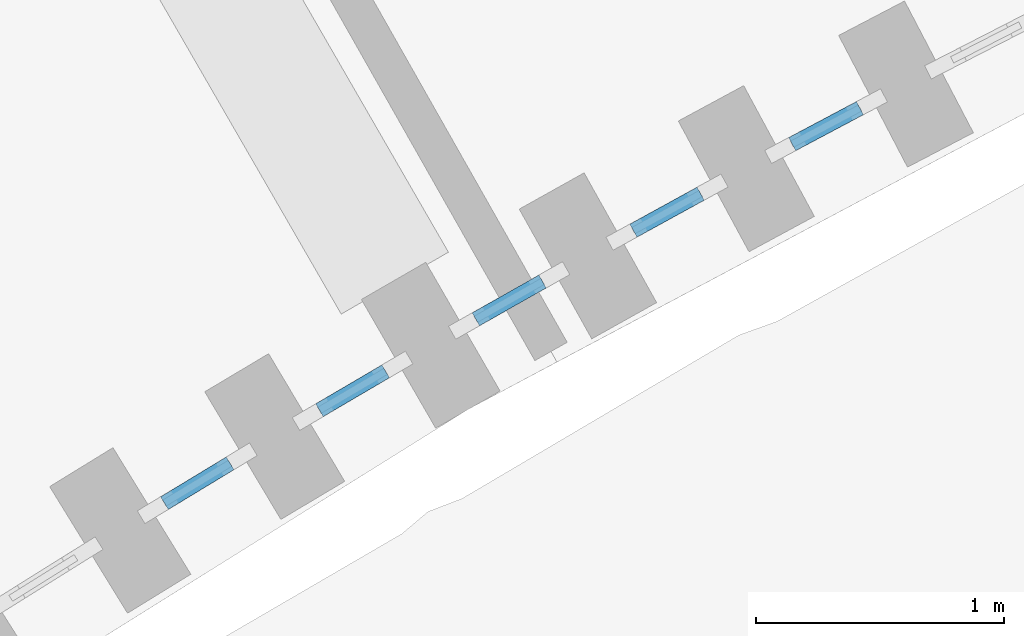
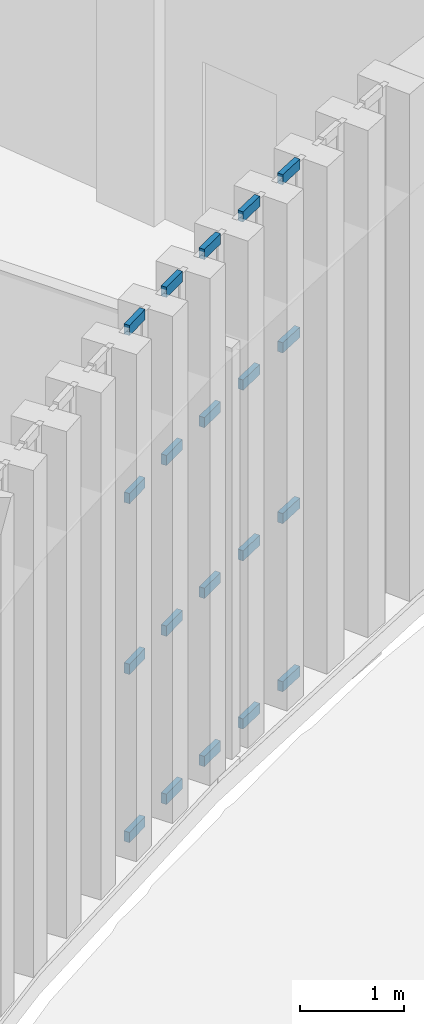
# One storey, part 64 of 155: 20 members, 5 elements without a shape of their own.
"""IFC4 building model written with IfcOpenShell, lengths in metres."""

import ifcopenshell
import ifcopenshell.guid

model = None  # the IFC model being written
_history = None  # IfcOwnerHistory: only IFC2X3 demands one
_inside = {}  # id of a spatial element -> (the spatial element, [elements in it])
_under = {}  # id of a project, library or spatial element -> (it, [spatial elements below it])
_declared = {}  # id of a project -> (the project, [libraries it declares])
_typed = {}  # id of a type object -> (the type object, [elements of that type])
_made_of = {}  # id of a material, layer set ... -> (it, [elements and type objects made of it])


def new_model(schema):
    """Start an empty IFC model of exactly this schema.

    Asked for "IFC4X3", IfcOpenShell would pick the latest addendum, in which some entities
    have other attributes; the version numbers below select the first issue.
    IFC2X3 requires an IfcOwnerHistory on every rooted entity: one is made here for all.
    """
    global model, _history
    if schema == "IFC4X3":
        model = ifcopenshell.file(schema_version=(4, 3, 0, 0))
    else:
        model = ifcopenshell.file(schema=schema)
    _inside.clear()
    _under.clear()
    _declared.clear()
    _typed.clear()
    _made_of.clear()
    _history = None
    if model.schema == "IFC2X3":
        org = make("IfcOrganization", Name="unknown")
        user = make(
            "IfcPersonAndOrganization",
            ThePerson=make("IfcPerson", FamilyName="unknown"),
            TheOrganization=org,
        )
        app = make(
            "IfcApplication",
            ApplicationDeveloper=org,
            Version="unknown",
            ApplicationFullName="unknown",
            ApplicationIdentifier="unknown",
        )
        _history = make(
            "IfcOwnerHistory",
            OwningUser=user,
            OwningApplication=app,
            ChangeAction="ADDED",
            CreationDate=0,
        )
    return model


def make(cls, **values):
    """One entity of the class cls with the attributes given. An attribute that is None is left unset."""
    return model.create_entity(
        cls, **{name: value for name, value in values.items() if value is not None}
    )


def rooted(cls, **values):
    """An entity with a GlobalId (a new one), such as an element, a storey or a relation."""
    return make(cls, GlobalId=ifcopenshell.guid.new(), OwnerHistory=_history, **values)


def si_unit(unit_type, name, prefix=None):
    """IfcSIUnit, for example si_unit("LENGTHUNIT", "METRE", prefix="MILLI")."""
    return make("IfcSIUnit", UnitType=unit_type, Prefix=prefix, Name=name)


def assignment(units):
    """IfcUnitAssignment: the units of a project."""
    return None if units is None else make("IfcUnitAssignment", Units=units)


def point(xyz):
    """IfcCartesianPoint."""
    return None if xyz is None else make("IfcCartesianPoint", Coordinates=xyz)


def direction(xyz):
    """IfcDirection."""
    return None if xyz is None else make("IfcDirection", DirectionRatios=xyz)


def frame(location, z_axis=None, x_axis=None):
    """IfcAxis2Placement3D, a coordinate frame: its origin and axes. An axis left out is left unset."""
    return make(
        "IfcAxis2Placement3D",
        Location=point(location),
        Axis=direction(z_axis),
        RefDirection=direction(x_axis),
    )


def frame_2d(location, x_axis=None):
    """IfcAxis2Placement2D, a coordinate frame in the plane: its origin and x axis."""
    return make(
        "IfcAxis2Placement2D", Location=point(location), RefDirection=direction(x_axis)
    )


def origin():
    """The frame at (0, 0, 0) with its axes left unset."""
    return frame((0.0, 0.0, 0.0))


def origin_2d():
    """The frame at (0, 0) in the plane with its x axis left unset."""
    return frame_2d((0.0, 0.0))


def place(relative_to, where):
    """IfcLocalPlacement: puts the frame where relative to a parent placement (None: the world)."""
    return make(
        "IfcLocalPlacement", PlacementRelTo=relative_to, RelativePlacement=where
    )


def context(
    kind, dimensions, precision=None, world=None, true_north=None, identifier=None
):
    """IfcGeometricRepresentationContext, for example the 3D "Model" context."""
    return make(
        "IfcGeometricRepresentationContext",
        ContextIdentifier=identifier,
        ContextType=kind,
        CoordinateSpaceDimension=dimensions,
        Precision=precision,
        WorldCoordinateSystem=world,
        TrueNorth=true_north,
    )


def subcontext(parent, identifier, kind, view, scale=None):
    """IfcGeometricRepresentationSubContext, for example "Body" below "Model"."""
    return make(
        "IfcGeometricRepresentationSubContext",
        ContextIdentifier=identifier,
        ContextType=kind,
        ParentContext=parent,
        TargetScale=scale,
        TargetView=view,
    )


def project(units=None, contexts=None):
    """IfcProject with its units and contexts."""
    return rooted(
        "IfcProject",
        Name="project",
        RepresentationContexts=contexts,
        UnitsInContext=assignment(units),
    )


def spatial(cls, under=None, at=None, **own):
    """A site, building, storey or space (cls), placed at a placement, below another one or the project."""
    s = rooted(cls, ObjectPlacement=at, **own)
    if under is not None:
        _under.setdefault(under.id(), (under, []))[1].append(s)
    return s


def profile(cls, at=None, kind="AREA", **sizes):
    """A parametric profile (cls). Its sizes go by their IFC names, for example OverallWidth=200.0."""
    return make(cls, ProfileType=kind, Position=at, **sizes)


def rectangle(**sizes):
    """IfcRectangleProfileDef."""
    return profile("IfcRectangleProfileDef", **sizes)


def extrude(swept, where, along, depth):
    """IfcExtrudedAreaSolid: the profile swept, set in the frame where, extruded along a direction by depth."""
    return make(
        "IfcExtrudedAreaSolid",
        SweptArea=swept,
        Position=where,
        ExtrudedDirection=direction(along),
        Depth=depth,
    )


def shape(context_of_items, identifier, shape_type, items):
    """IfcShapeRepresentation: the items that make up one representation, for example the "Body"."""
    return make(
        "IfcShapeRepresentation",
        ContextOfItems=context_of_items,
        RepresentationIdentifier=identifier,
        RepresentationType=shape_type,
        Items=items,
    )


def material(Name=None, Category=None):
    """IfcMaterial."""
    return make("IfcMaterial", Name=Name, Category=Category)


def layer(
    of_material, thickness, ventilated=None, Name=None, Category=None, Priority=None
):
    """IfcMaterialLayer: one layer of a wall or slab, of a material (None: an air gap)."""
    return make(
        "IfcMaterialLayer",
        Material=of_material,
        LayerThickness=thickness,
        IsVentilated=ventilated,
        Name=Name,
        Category=Category,
        Priority=Priority,
    )


def layer_set(layers, Name=None):
    """IfcMaterialLayerSet."""
    return make("IfcMaterialLayerSet", MaterialLayers=layers, LayerSetName=Name)


def material_profile(
    of_material, cross_section, Name=None, Category=None, Priority=None
):
    """IfcMaterialProfile: a cross section and its material."""
    return make(
        "IfcMaterialProfile",
        Name=Name,
        Material=of_material,
        Profile=cross_section,
        Priority=Priority,
        Category=Category,
    )


def profile_set(profiles, Name=None, composite=None):
    """IfcMaterialProfileSet."""
    return make(
        "IfcMaterialProfileSet",
        Name=Name,
        MaterialProfiles=profiles,
        CompositeProfile=composite,
    )


def made_of(thing, what):
    """Note that an element or type object is made of a material, layer set ...; save() writes the relation."""
    if what is not None:
        _made_of.setdefault(what.id(), (what, []))[1].append(thing)
    return thing


def type_object(cls, material=None, **own):
    """A type object (cls), such as IfcWallType, which elements share."""
    return made_of(rooted(cls, **own), material)


def element(
    cls,
    number,
    at=None,
    inside=None,
    cuts=None,
    type_object=None,
    material=None,
    context=None,
    identifier="Body",
    shape_type=None,
    held_by="IfcProductDefinitionShape",
    body=None,
    shapes=None,
    **own,
):
    """One element of the class cls, such as IfcWall. Its Tag is "e" and its number.

    at: its placement. inside: the storey or other place that contains it. cuts: it is an
    opening in that element (IfcRelVoidsElement). A single representation is given by context,
    identifier, shape_type and body (its items); several are given by shapes. held_by: the class
    of the entity that holds the representations. save() writes the other relations.
    """
    e = rooted(cls, Tag="e%d" % number, ObjectPlacement=at, **own)
    if body is not None:
        shapes = [shape(context, identifier, shape_type, body)]
    if shapes is not None:
        e.Representation = make(held_by, Representations=shapes)
    if inside is not None:
        _inside.setdefault(inside.id(), (inside, []))[1].append(e)
    if cuts is not None:
        rooted(
            "IfcRelVoidsElement", RelatingBuildingElement=cuts, RelatedOpeningElement=e
        )
    if type_object is not None:
        _typed.setdefault(type_object.id(), (type_object, []))[1].append(e)
    return made_of(e, material)


def aggregate(whole, parts):
    """IfcRelAggregates: a whole, such as a stair, and the parts it consists of."""
    return rooted("IfcRelAggregates", RelatingObject=whole, RelatedObjects=parts)


def save(model, path):
    """Write the relations noted so far, then the file.

    IfcRelAggregates (storeys below a building ...), IfcRelContainedInSpatialStructure (elements
    in a storey), IfcRelDefinesByType, IfcRelAssociatesMaterial and IfcRelDeclares: one each for
    every whole, place, type object, material and project.
    """
    for whole, parts in _under.values():
        aggregate(whole, parts)
    for where, things in _inside.values():
        rooted(
            "IfcRelContainedInSpatialStructure",
            RelatedElements=things,
            RelatingStructure=where,
        )
    for kind, things in _typed.values():
        rooted("IfcRelDefinesByType", RelatedObjects=things, RelatingType=kind)
    for what, things in _made_of.values():
        rooted("IfcRelAssociatesMaterial", RelatedObjects=things, RelatingMaterial=what)
    for by, libraries in _declared.values():
        rooted("IfcRelDeclares", RelatingContext=by, RelatedDefinitions=libraries)
    model.write(path)


model = new_model("IFC4")

# Units and contexts
model_context = context("Model", 3, precision=1e-05, world=origin(), true_north=direction((0.0, 1.0)))
body_context = subcontext(model_context, "Body", "Model", "MODEL_VIEW")
ifc_project = project(units=[si_unit("LENGTHUNIT", "METRE"), si_unit("AREAUNIT", "SQUARE_METRE"), si_unit("VOLUMEUNIT", "CUBIC_METRE"), si_unit("PLANEANGLEUNIT", "RADIAN"), si_unit("MASSUNIT", "GRAM", prefix="KILO")], contexts=[model_context])

# Site, building, storey
site_placement = place(None, origin())
site = spatial("IfcSite", under=ifc_project, at=site_placement, CompositionType="ELEMENT")
building_placement = place(site_placement, origin())
building = spatial("IfcBuilding", under=site, at=building_placement, Name="Lunette Opera House", CompositionType="ELEMENT")
storey_placement = place(building_placement, origin())
storey = spatial("IfcBuildingStorey", under=building, at=storey_placement, Name="L00", CompositionType="ELEMENT", Elevation=0.0)

# Curtain wall, members
ifc_material_1 = material(Name="Aluminium", Category="aluminium")
ifc_layer = layer(ifc_material_1, 0.1201171875)
ifc_layer_set = layer_set([ifc_layer], Name="Aluminium")
curtain_wall_type = type_object("IfcCurtainWallType", Name="SLOT CURTAIN WALL", PredefinedType="NOTDEFINED", material=ifc_layer_set)
curtain_wall_1_placement = place(storey_placement, origin())
curtain_wall_1 = element("IfcCurtainWall", 1, at=curtain_wall_1_placement, inside=storey, type_object=curtain_wall_type, Name="Slot Curtain Wall CS014 L00", PredefinedType="NOTDEFINED")
ifc_material_2 = material(Name="Aluminium", Category="aluminium")
ifc_material_profile = material_profile(ifc_material_2, rectangle(XDim=0.06005859375, YDim=0.1201171875, at=origin_2d()), Name="TRANSOM 60 X 120")
ifc_profile_set = profile_set([ifc_material_profile], Name="Aluminium")
member_type = type_object("IfcMemberType", Name="TRANSOM 60 X 120", PredefinedType="USERDEFINED", material=ifc_profile_set)
member_1_placement = place(storey_placement, frame((68.7744140625, 44.655029296875, 0.030029296875), z_axis=(0.855123856729, 0.518423754908, 0.0), x_axis=(-0.518423754908, 0.855123856729, 0.0)))
member_1 = element("IfcMember", 2, at=member_1_placement, type_object=member_type, Name="FC-X2027 transom 1.1", ObjectType="TRANSOM", PredefinedType="USERDEFINED", context=body_context, shape_type="SweptSolid", body=[
    extrude(rectangle(XDim=0.06005859375, YDim=0.1201171875, at=origin_2d()), origin(), (0.0, 0.0, 1.0), 0.310302734375),
])
member_2_placement = place(storey_placement, frame((68.7744140625, 44.655029296875, 2.0), z_axis=(0.855123856729, 0.518423754908, 0.0), x_axis=(-0.518423754908, 0.855123856729, 0.0)))
member_2 = element("IfcMember", 3, at=member_2_placement, type_object=member_type, Name="FC-X2027 transom 1.2", ObjectType="TRANSOM", PredefinedType="USERDEFINED", context=body_context, shape_type="SweptSolid", body=[
    extrude(rectangle(XDim=0.06005859375, YDim=0.1201171875, at=origin_2d()), origin(), (0.0, 0.0, 1.0), 0.310302734375),
])
member_3_placement = place(storey_placement, frame((68.7744140625, 44.655029296875, 4.0), z_axis=(0.855123856729, 0.518423754908, 0.0), x_axis=(-0.518423754908, 0.855123856729, 0.0)))
member_3 = element("IfcMember", 4, at=member_3_placement, type_object=member_type, Name="FC-X2027 transom 1.3", ObjectType="TRANSOM", PredefinedType="USERDEFINED", context=body_context, shape_type="SweptSolid", body=[
    extrude(rectangle(XDim=0.06005859375, YDim=0.1201171875, at=origin_2d()), origin(), (0.0, 0.0, 1.0), 0.310302734375),
])
member_4_placement = place(storey_placement, frame((68.7744140625, 44.655029296875, 5.969970703125), z_axis=(0.855123856729, 0.518423754908, 0.0), x_axis=(-0.518423754908, 0.855123856729, 0.0)))
member_4 = element("IfcMember", 5, at=member_4_placement, type_object=member_type, Name="FC-X2027 transom 1.4", ObjectType="TRANSOM", PredefinedType="USERDEFINED", context=body_context, shape_type="SweptSolid", body=[
    extrude(rectangle(XDim=0.06005859375, YDim=0.1201171875, at=origin_2d()), origin(), (0.0, 0.0, 1.0), 0.310302734375),
])
aggregate(curtain_wall_1, [member_1, member_2, member_3, member_4])

curtain_wall_2_placement = place(storey_placement, origin())
curtain_wall_2 = element("IfcCurtainWall", 6, at=curtain_wall_2_placement, inside=storey, type_object=curtain_wall_type, Name="Slot Curtain Wall CS015 L00", PredefinedType="NOTDEFINED")
member_5_placement = place(storey_placement, frame((69.400634765625, 45.030517578125, 0.030029296875), z_axis=(0.862520326082, 0.506022417583, 0.0), x_axis=(-0.506022417583, 0.862520326082, 0.0)))
member_5 = element("IfcMember", 7, at=member_5_placement, type_object=member_type, Name="FC-X2029 transom 1.1", ObjectType="TRANSOM", PredefinedType="USERDEFINED", context=body_context, shape_type="SweptSolid", body=[
    extrude(rectangle(XDim=0.06005859375, YDim=0.1201171875, at=origin_2d()), origin(), (0.0, 0.0, 1.0), 0.310302734375),
])
member_6_placement = place(storey_placement, frame((69.400634765625, 45.030517578125, 2.0), z_axis=(0.862520326082, 0.506022417583, 0.0), x_axis=(-0.506022417583, 0.862520326082, 0.0)))
member_6 = element("IfcMember", 8, at=member_6_placement, type_object=member_type, Name="FC-X2029 transom 1.2", ObjectType="TRANSOM", PredefinedType="USERDEFINED", context=body_context, shape_type="SweptSolid", body=[
    extrude(rectangle(XDim=0.06005859375, YDim=0.1201171875, at=origin_2d()), origin(), (0.0, 0.0, 1.0), 0.310302734375),
])
member_7_placement = place(storey_placement, frame((69.400634765625, 45.030517578125, 4.0), z_axis=(0.862520326082, 0.506022417583, 0.0), x_axis=(-0.506022417583, 0.862520326082, 0.0)))
member_7 = element("IfcMember", 9, at=member_7_placement, type_object=member_type, Name="FC-X2029 transom 1.3", ObjectType="TRANSOM", PredefinedType="USERDEFINED", context=body_context, shape_type="SweptSolid", body=[
    extrude(rectangle(XDim=0.06005859375, YDim=0.1201171875, at=origin_2d()), origin(), (0.0, 0.0, 1.0), 0.310302734375),
])
member_8_placement = place(storey_placement, frame((69.400634765625, 45.030517578125, 5.969970703125), z_axis=(0.862520326082, 0.506022417583, 0.0), x_axis=(-0.506022417583, 0.862520326082, 0.0)))
member_8 = element("IfcMember", 10, at=member_8_placement, type_object=member_type, Name="FC-X2029 transom 1.4", ObjectType="TRANSOM", PredefinedType="USERDEFINED", context=body_context, shape_type="SweptSolid", body=[
    extrude(rectangle(XDim=0.06005859375, YDim=0.1201171875, at=origin_2d()), origin(), (0.0, 0.0, 1.0), 0.310302734375),
])
aggregate(curtain_wall_2, [member_5, member_6, member_7, member_8])

curtain_wall_3_placement = place(storey_placement, origin())
curtain_wall_3 = element("IfcCurtainWall", 11, at=curtain_wall_3_placement, inside=storey, type_object=curtain_wall_type, Name="Slot Curtain Wall CS016 L00", PredefinedType="NOTDEFINED")
member_9_placement = place(storey_placement, frame((70.0322265625, 45.397705078125, 0.030029296875), z_axis=(0.870224974821, 0.492654537376, 0.0), x_axis=(-0.492654537376, 0.870224974821, 0.0)))
member_9 = element("IfcMember", 12, at=member_9_placement, type_object=member_type, Name="FC-X2031 transom 1.1", ObjectType="TRANSOM", PredefinedType="USERDEFINED", context=body_context, shape_type="SweptSolid", body=[
    extrude(rectangle(XDim=0.06005859375, YDim=0.1201171875, at=origin_2d()), origin(), (0.0, 0.0, 1.0), 0.309814453125),
])
member_10_placement = place(storey_placement, frame((70.0322265625, 45.397705078125, 2.0), z_axis=(0.870224974821, 0.492654537376, 0.0), x_axis=(-0.492654537376, 0.870224974821, 0.0)))
member_10 = element("IfcMember", 13, at=member_10_placement, type_object=member_type, Name="FC-X2031 transom 1.2", ObjectType="TRANSOM", PredefinedType="USERDEFINED", context=body_context, shape_type="SweptSolid", body=[
    extrude(rectangle(XDim=0.06005859375, YDim=0.1201171875, at=origin_2d()), origin(), (0.0, 0.0, 1.0), 0.309814453125),
])
member_11_placement = place(storey_placement, frame((70.0322265625, 45.397705078125, 4.0), z_axis=(0.870224974821, 0.492654537376, 0.0), x_axis=(-0.492654537376, 0.870224974821, 0.0)))
member_11 = element("IfcMember", 14, at=member_11_placement, type_object=member_type, Name="FC-X2031 transom 1.3", ObjectType="TRANSOM", PredefinedType="USERDEFINED", context=body_context, shape_type="SweptSolid", body=[
    extrude(rectangle(XDim=0.06005859375, YDim=0.1201171875, at=origin_2d()), origin(), (0.0, 0.0, 1.0), 0.309814453125),
])
member_12_placement = place(storey_placement, frame((70.0322265625, 45.397705078125, 5.969970703125), z_axis=(0.870224974821, 0.492654537376, 0.0), x_axis=(-0.492654537376, 0.870224974821, 0.0)))
member_12 = element("IfcMember", 15, at=member_12_placement, type_object=member_type, Name="FC-X2031 transom 1.4", ObjectType="TRANSOM", PredefinedType="USERDEFINED", context=body_context, shape_type="SweptSolid", body=[
    extrude(rectangle(XDim=0.06005859375, YDim=0.1201171875, at=origin_2d()), origin(), (0.0, 0.0, 1.0), 0.309814453125),
])
aggregate(curtain_wall_3, [member_9, member_10, member_11, member_12])

curtain_wall_4_placement = place(storey_placement, origin())
curtain_wall_4 = element("IfcCurtainWall", 16, at=curtain_wall_4_placement, inside=storey, type_object=curtain_wall_type, Name="Slot Curtain Wall CS017 L00", PredefinedType="NOTDEFINED")
member_13_placement = place(storey_placement, frame((70.668701171875, 45.755859375, 0.030029296875), z_axis=(0.87659809462, 0.48122321277, 0.0), x_axis=(-0.48122321277, 0.87659809462, 0.0)))
member_13 = element("IfcMember", 17, at=member_13_placement, type_object=member_type, Name="FC-X2033 transom 1.1", ObjectType="TRANSOM", PredefinedType="USERDEFINED", context=body_context, shape_type="SweptSolid", body=[
    extrude(rectangle(XDim=0.06005859375, YDim=0.1201171875, at=origin_2d()), origin(), (0.0, 0.0, 1.0), 0.31005859375),
])
member_14_placement = place(storey_placement, frame((70.668701171875, 45.755859375, 2.0), z_axis=(0.87659809462, 0.48122321277, 0.0), x_axis=(-0.48122321277, 0.87659809462, 0.0)))
member_14 = element("IfcMember", 18, at=member_14_placement, type_object=member_type, Name="FC-X2033 transom 1.2", ObjectType="TRANSOM", PredefinedType="USERDEFINED", context=body_context, shape_type="SweptSolid", body=[
    extrude(rectangle(XDim=0.06005859375, YDim=0.1201171875, at=origin_2d()), origin(), (0.0, 0.0, 1.0), 0.31005859375),
])
member_15_placement = place(storey_placement, frame((70.668701171875, 45.755859375, 4.0), z_axis=(0.87659809462, 0.48122321277, 0.0), x_axis=(-0.48122321277, 0.87659809462, 0.0)))
member_15 = element("IfcMember", 19, at=member_15_placement, type_object=member_type, Name="FC-X2033 transom 1.3", ObjectType="TRANSOM", PredefinedType="USERDEFINED", context=body_context, shape_type="SweptSolid", body=[
    extrude(rectangle(XDim=0.06005859375, YDim=0.1201171875, at=origin_2d()), origin(), (0.0, 0.0, 1.0), 0.31005859375),
])
member_16_placement = place(storey_placement, frame((70.668701171875, 45.755859375, 5.969970703125), z_axis=(0.87659809462, 0.48122321277, 0.0), x_axis=(-0.48122321277, 0.87659809462, 0.0)))
member_16 = element("IfcMember", 20, at=member_16_placement, type_object=member_type, Name="FC-X2033 transom 1.4", ObjectType="TRANSOM", PredefinedType="USERDEFINED", context=body_context, shape_type="SweptSolid", body=[
    extrude(rectangle(XDim=0.06005859375, YDim=0.1201171875, at=origin_2d()), origin(), (0.0, 0.0, 1.0), 0.31005859375),
])
aggregate(curtain_wall_4, [member_13, member_14, member_15, member_16])

curtain_wall_5_placement = place(storey_placement, origin())
curtain_wall_5 = element("IfcCurtainWall", 21, at=curtain_wall_5_placement, inside=storey, type_object=curtain_wall_type, Name="Slot Curtain Wall CS018 L00", PredefinedType="NOTDEFINED")
member_17_placement = place(storey_placement, frame((71.31005859375, 46.105224609375, 0.030029296875), z_axis=(0.883136100726, 0.469116859209, 0.0), x_axis=(-0.469116859209, 0.883136100726, 0.0)))
member_17 = element("IfcMember", 22, at=member_17_placement, type_object=member_type, Name="FC-X2035 transom 1.1", ObjectType="TRANSOM", PredefinedType="USERDEFINED", context=body_context, shape_type="SweptSolid", body=[
    extrude(rectangle(XDim=0.06005859375, YDim=0.1201171875, at=origin_2d()), origin(), (0.0, 0.0, 1.0), 0.31005859375),
])
member_18_placement = place(storey_placement, frame((71.31005859375, 46.105224609375, 2.0), z_axis=(0.883136100726, 0.469116859209, 0.0), x_axis=(-0.469116859209, 0.883136100726, 0.0)))
member_18 = element("IfcMember", 23, at=member_18_placement, type_object=member_type, Name="FC-X2035 transom 1.2", ObjectType="TRANSOM", PredefinedType="USERDEFINED", context=body_context, shape_type="SweptSolid", body=[
    extrude(rectangle(XDim=0.06005859375, YDim=0.1201171875, at=origin_2d()), origin(), (0.0, 0.0, 1.0), 0.31005859375),
])
member_19_placement = place(storey_placement, frame((71.31005859375, 46.105224609375, 4.0), z_axis=(0.883136100726, 0.469116859209, 0.0), x_axis=(-0.469116859209, 0.883136100726, 0.0)))
member_19 = element("IfcMember", 24, at=member_19_placement, type_object=member_type, Name="FC-X2035 transom 1.3", ObjectType="TRANSOM", PredefinedType="USERDEFINED", context=body_context, shape_type="SweptSolid", body=[
    extrude(rectangle(XDim=0.06005859375, YDim=0.1201171875, at=origin_2d()), origin(), (0.0, 0.0, 1.0), 0.31005859375),
])
member_20_placement = place(storey_placement, frame((71.31005859375, 46.105224609375, 5.969970703125), z_axis=(0.883136100726, 0.469116859209, 0.0), x_axis=(-0.469116859209, 0.883136100726, 0.0)))
member_20 = element("IfcMember", 25, at=member_20_placement, type_object=member_type, Name="FC-X2035 transom 1.4", ObjectType="TRANSOM", PredefinedType="USERDEFINED", context=body_context, shape_type="SweptSolid", body=[
    extrude(rectangle(XDim=0.06005859375, YDim=0.1201171875, at=origin_2d()), origin(), (0.0, 0.0, 1.0), 0.31005859375),
])
aggregate(curtain_wall_5, [member_17, member_18, member_19, member_20])

save(model, "model.ifc")
